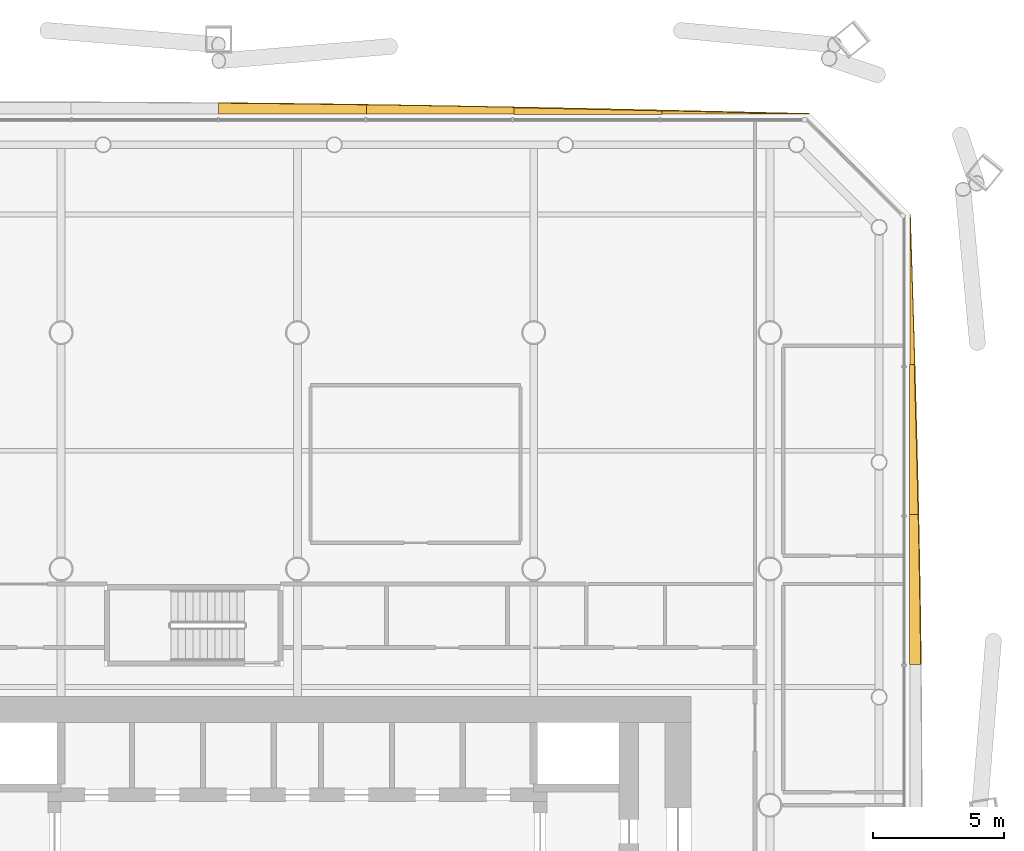
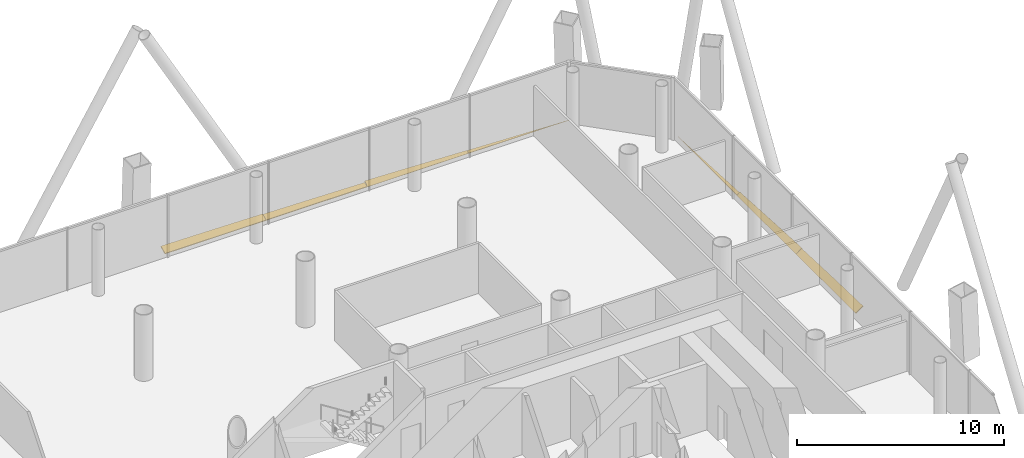
# One storey, part 21 of 21: 7 shading devices.
"""IFC4 building model written with IfcOpenShell, lengths in metres."""

from ifc_helpers import new_model, si_unit, direction, frame, origin, place, context, subcontext, project, spatial, polyline, outline, extrude, material, layer, layer_set, type_object, element, save


model = new_model("IFC4")

# Units and contexts
model_context = context("Model", 3, precision=1e-05, world=origin(), true_north=direction((0.0, 1.0)))
body_context = subcontext(model_context, "Body", "Model", "MODEL_VIEW")
ifc_project = project(units=[si_unit("LENGTHUNIT", "METRE"), si_unit("AREAUNIT", "SQUARE_METRE"), si_unit("VOLUMEUNIT", "CUBIC_METRE"), si_unit("PLANEANGLEUNIT", "RADIAN"), si_unit("MASSUNIT", "GRAM", prefix="KILO")], contexts=[model_context])

# Site, building, storey
site_placement = place(None, origin())
site = spatial("IfcSite", under=ifc_project, at=site_placement, CompositionType="ELEMENT")
building_placement = place(site_placement, origin())
building = spatial("IfcBuilding", under=site, at=building_placement, Name="Tskaro Facet Tower", CompositionType="ELEMENT")
storey_placement = place(building_placement, frame((0.0, 0.0, 45.89990234375)))
storey = spatial("IfcBuildingStorey", under=building, at=storey_placement, Name="L10", CompositionType="ELEMENT", Elevation=45.89990234375)

# Shading devices
ifc_material = material(Name="Bronze anodised aluminium 6063-T6", Category="aluminium")
ifc_layer = layer(ifc_material, 0.06005859375, Name="Bronze anodised aluminium 6063-T6")
ifc_layer_set = layer_set([ifc_layer], Name="Bronze anodised aluminium 6063-T6")
shading_device_type = type_object("IfcShadingDeviceType", Name="Bronze sun blade (FN1)", PredefinedType="USERDEFINED", material=ifc_layer_set)
shading_device_1_placement = place(storey_placement, frame((23.322509765625, 5.3583984375, 0.04931640625), z_axis=(-0.573324769253, -3.53589e-06, 0.819328205879), x_axis=(-2.027213e-06, 0.999999999994, 2.897055e-06)))
element("IfcShadingDevice", 1, at=shading_device_1_placement, inside=storey, type_object=shading_device_type, Name="Fin blade east 6", ObjectType="FIN", PredefinedType="USERDEFINED", context=body_context, shape_type="SweptSolid", body=[
    extrude(outline(polyline([(0.0, 0.0), (5.716796874964263, -2.421157652942712e-21), (5.7167968749836975, -0.39005520267114735), (5.00219726534122, -0.4084759335898078), (4.287597656263866, -0.42581659557242124), (3.5729980465494204, -0.4421372480517579), (2.8583984374000986, -0.4573778315950475), (2.143798828108611, -0.4713983743347959), (1.429199219169883, -0.4839988449707384), (0.7145996095940644, -0.4955793061034041), (-1.2391983450305916e-10, -0.5059397264325285), (0.0, 0.0)])), origin(), (0.0, 0.0, -1.0), 0.06005859375),
])
shading_device_2_placement = place(storey_placement, frame((23.318359375, 11.0751953125, 0.046142578125), z_axis=(-0.642577711569, 6.502253e-06, 0.766220519533), x_axis=(4.178203e-06, 0.999999999979, -4.98216e-06)))
element("IfcShadingDevice", 2, at=shading_device_2_placement, inside=storey, type_object=shading_device_type, Name="Fin blade east 7", ObjectType="FIN", PredefinedType="USERDEFINED", context=body_context, shape_type="SweptSolid", body=[
    extrude(outline(polyline([(0.0, 0.0), (5.717041015504144, 4.842522101038562e-21), (5.717041015633809, -0.22684763274740932), (5.002441407011664, -0.25319874730349584), (4.287597656940734, -0.2790188514224046), (3.572998046671008, -0.3043079451041356), (2.8583984369901176, -0.328565204143925), (2.1437988277017843, -0.3521345734224198), (1.429199219002287, -0.3746721080589729), (0.7145996084589296, -0.39649156670181784), (-2.7924448277734417e-10, -0.4171223113786042), (0.0, 0.0)])), origin(), (0.0, 0.0, -1.0), 0.06005859375),
])
shading_device_3_placement = place(storey_placement, frame((23.33642578125, 16.792236328125, 0.056396484375), z_axis=(-0.342618514428, -2.6691762e-05, 0.939474615335), x_axis=(-9.145092e-06, 0.999999999644, 2.5076233e-05)))
element("IfcShadingDevice", 3, at=shading_device_3_placement, inside=storey, type_object=shading_device_type, Name="Fin blade east 8", ObjectType="FIN", PredefinedType="USERDEFINED", context=body_context, shape_type="SweptSolid", body=[
    extrude(outline(polyline([(0.0, 0.0), (5.716796872963534, 0.0), (5.002197266588079, -0.023945481966871032), (4.287597656323185, -0.047577952915622), (3.572998048290981, -0.07098105994453179), (2.8583984341366486, -0.09430051987516269), (2.143798828337132, -0.11747426298423128), (1.4291992186481768, -0.14033499507517982), (0.7145996050697828, -0.16288271614800828), (-4.043234349034121e-09, -0.18497170938115437), (0.0, 0.0)])), origin(), (0.0, 0.0, -1.0), 0.06005859375),
])
shading_device_4_placement = place(storey_placement, frame((19.509033203125, 26.322509765625, 0.04931640625), z_axis=(6.577744e-06, -0.572549817974, 0.819869932303), x_axis=(-0.999999999978, -3.766086e-06, 5.392894e-06)))
element("IfcShadingDevice", 4, at=shading_device_4_placement, inside=storey, type_object=shading_device_type, Name="Fin blade north 1", ObjectType="FIN", PredefinedType="USERDEFINED", context=body_context, shape_type="SweptSolid", body=[
    extrude(outline(polyline([(0.0, 0.0), (5.6271972655032645, 0.0), (5.627197265740603, -0.15814621985725288), (4.92382812564726, -0.13884536843873696), (4.220458984237293, -0.1194047343498143), (3.5170898437467812, -0.09976393670319605), (2.8137207032562688, -0.08012313905657782), (2.110351562368587, -0.06014239518185725), (1.4067382808559097, -0.0401616513071367), (0.7033691399682276, -0.020180907432416132), (0.0, 0.0)])), origin(), (0.0, 0.0, -1.0), 0.06005859375),
])
shading_device_5_placement = place(storey_placement, frame((13.8818359375, 26.318359375, 0.046142578125), z_axis=(3.627559e-06, -0.642545890538, 0.766247204588), x_axis=(-0.999999999993, -2.330873e-06, 2.779607e-06)))
element("IfcShadingDevice", 5, at=shading_device_5_placement, inside=storey, type_object=shading_device_type, Name="Fin blade north 2", ObjectType="FIN", PredefinedType="USERDEFINED", context=body_context, shape_type="SweptSolid", body=[
    extrude(outline(polyline([(0.0, 0.0), (5.627441406212974, -1.1916570699592055e-21), (5.627441406227138, -0.3237197896994472), (4.923828124844714, -0.3055268469729203), (4.220458984656352, -0.2871468321749594), (3.5170898436798197, -0.2682660021949483), (2.8137207032723484, -0.24919810014350313), (2.1103515620767075, -0.22962938291000778), (1.4069824220191884, -0.2096865215336445), (0.7036132812830544, -0.1895867886019731), (-1.876321453423734e-10, -0.16914311204355953), (0.0, 0.0)])), origin(), (0.0, 0.0, -1.0), 0.06005859375),
])
shading_device_6_placement = place(storey_placement, frame((8.25439453125, 26.33642578125, 0.056396484375), z_axis=(-5.685563e-06, -0.342221291572, 0.939619384412), x_axis=(-0.999999999984, 1.945721e-06, -5.342265e-06)))
element("IfcShadingDevice", 6, at=shading_device_6_placement, inside=storey, type_object=shading_device_type, Name="Fin blade north 3", ObjectType="FIN", PredefinedType="USERDEFINED", context=body_context, shape_type="SweptSolid", body=[
    extrude(outline(polyline([(0.0, 0.0), (5.627197265534049, 1.191605371170921e-21), (5.627197265883983, -0.36685652213911113), (4.923828125237278, -0.3554261526127368), (4.220214843490548, -0.3437663838225863), (3.5168457027230184, -0.3315642663848695), (2.813476562309694, -0.31881980029958645), (2.110107422725605, -0.3057623848305134), (1.4067382804121622, -0.2921003216901256), (0.7033691407072481, -0.27827115830971005), (5.2274984883847757e-11, -0.26398319640174217), (0.0, 0.0)])), origin(), (0.0, 0.0, -1.0), 0.06005859375),
])
shading_device_7_placement = place(storey_placement, frame((2.627197265625, 26.33154296875, 0.054443359375), z_axis=(2.206575e-06, -0.42260503041, 0.906313956787), x_axis=(-0.999999999998, -9.3251e-07, 1.999849e-06)))
element("IfcShadingDevice", 7, at=shading_device_7_placement, inside=storey, type_object=shading_device_type, Name="Fin blade north 4", ObjectType="FIN", PredefinedType="USERDEFINED", context=body_context, shape_type="SweptSolid", body=[
    extrude(outline(polyline([(0.0, 0.0), (5.627197265611302, 5.958026855854605e-22), (5.627197265497948, -0.4536078252212012), (4.923828124934976, -0.4466167550938923), (4.220458984566751, -0.43885870574276026), (3.517089843677363, -0.4304517701674094), (2.8134765626183027, -0.4216022984803448), (2.11010742166308, -0.4121039405690614), (1.4067382811631843, -0.40216304654606433), (0.7033691408580345, -0.39145517329924406), (-1.9594089908190885e-10, -0.38031968188406184), (0.0, 0.0)])), origin(), (0.0, 0.0, -1.0), 0.06005859375),
])

save(model, "model.ifc")
